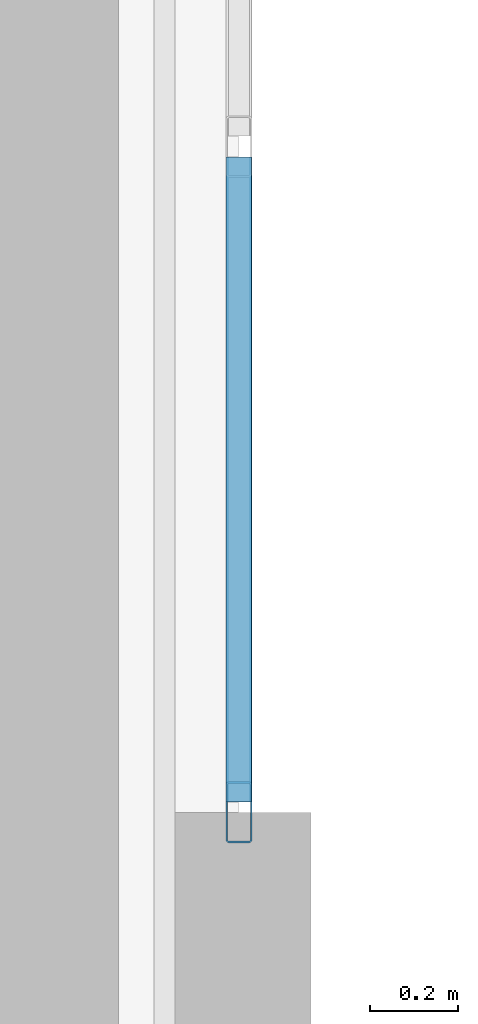
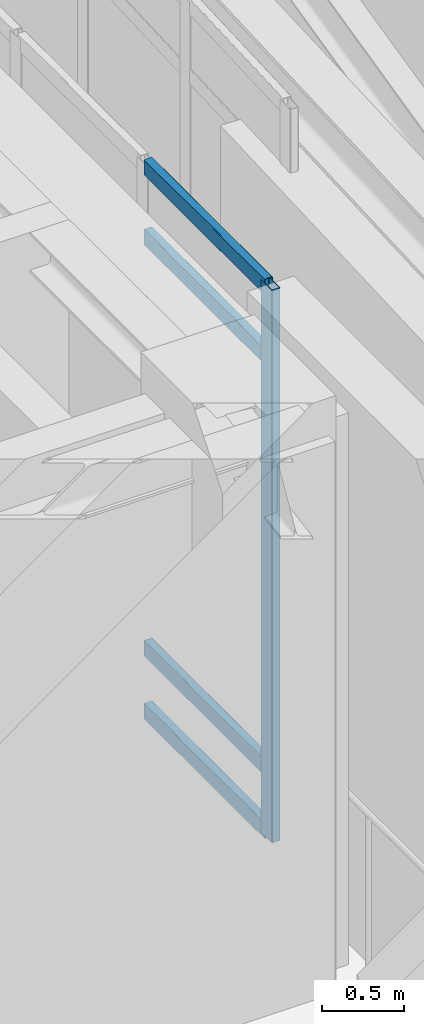
# One storey, part 4 of 19: 5 members, 1 element without a shape of its own.
"""IFC4 building model written with IfcOpenShell, lengths in metres."""

from ifc_helpers import new_model, si_unit, direction, frame, origin, origin_2d, place, context, subcontext, project, spatial, hollow_rectangle, extrude, material, layer, layer_set, material_profile, profile_set, type_object, element, aggregate, save


model = new_model("IFC4")

# Units and contexts
model_context = context("Model", 3, precision=1e-05, world=origin(), true_north=direction((0.0, 1.0)))
body_context = subcontext(model_context, "Body", "Model", "MODEL_VIEW")
ifc_project = project(units=[si_unit("LENGTHUNIT", "METRE"), si_unit("AREAUNIT", "SQUARE_METRE"), si_unit("VOLUMEUNIT", "CUBIC_METRE"), si_unit("PLANEANGLEUNIT", "RADIAN"), si_unit("MASSUNIT", "GRAM", prefix="KILO")], contexts=[model_context])

# Site, building, storey
site_placement = place(None, origin())
site = spatial("IfcSite", under=ifc_project, at=site_placement, CompositionType="ELEMENT")
building_placement = place(site_placement, origin())
building = spatial("IfcBuilding", under=site, at=building_placement, Name="Ndelora Gate Hotel", CompositionType="ELEMENT")
storey_placement = place(building_placement, frame((0.0, 0.0, 299.199951171875)))
storey = spatial("IfcBuildingStorey", under=building, at=storey_placement, Name="L74", CompositionType="ELEMENT", Elevation=299.199951171875)

# Curtain wall, members
ifc_material_1 = material(Name="Bronze Anodised Unitised Aluminium and Low-E Glass", Category="aluminium")
ifc_layer = layer(ifc_material_1, 0.199951171875)
ifc_layer_set = layer_set([ifc_layer], Name="Bronze Anodised Unitised Aluminium and Low-E Glass")
curtain_wall_type = type_object("IfcCurtainWallType", Name="CW-SYS-8", PredefinedType="NOTDEFINED", material=ifc_layer_set)
curtain_wall_placement = place(storey_placement, origin())
curtain_wall = element("IfcCurtainWall", 1, at=curtain_wall_placement, inside=storey, type_object=curtain_wall_type, Name="L74 Split-Crown West Cleft Lantern Curtain Wall CW8-1", PredefinedType="NOTDEFINED")
ifc_material_2 = material(Name="Bronze Anodised Aluminium 6063-T6", Category="aluminium")
ifc_material_profile_1 = material_profile(ifc_material_2, hollow_rectangle(XDim=0.06005859375, YDim=0.139892578125, WallThickness=0.00390625, InnerFilletRadius=0.00390625, OuterFilletRadius=0.008056640625, at=origin_2d()), Name="ALU 140x60x4")
ifc_profile_set_1 = profile_set([ifc_material_profile_1], Name="Bronze Anodised Aluminium 6063-T6")
member_type_1 = type_object("IfcMemberType", Name="MB-CW-MUL140", PredefinedType="MULLION", material=ifc_profile_set_1)
member_1_placement = place(storey_placement, frame((8.85009765625, -5.52001953125, -0.00390625), z_axis=(0.0, 0.0, 1.0), x_axis=(-1.0, 0.0, 0.0)))
member_1 = element("IfcMember", 2, at=member_1_placement, type_object=member_type_1, Name="CW8 mullion 1", PredefinedType="MULLION", context=body_context, shape_type="SweptSolid", body=[
    extrude(hollow_rectangle(XDim=0.06005859375, YDim=0.139892578125, WallThickness=0.00390625, InnerFilletRadius=0.00390625, OuterFilletRadius=0.008056640625, at=origin_2d()), origin(), (0.0, 0.0, 1.0), 4.1279296875),
])
ifc_material_profile_2 = material_profile(ifc_material_2, hollow_rectangle(XDim=0.06005859375, YDim=0.1201171875, WallThickness=0.00390625, InnerFilletRadius=0.00390625, OuterFilletRadius=0.008056640625, at=origin_2d()), Name="ALU 120x60x4")
ifc_profile_set_2 = profile_set([ifc_material_profile_2], Name="Bronze Anodised Aluminium 6063-T6")
member_type_2 = type_object("IfcMemberType", Name="MB-CW-TRN120", PredefinedType="USERDEFINED", material=ifc_profile_set_2)
member_2_placement = place(storey_placement, frame((8.85009765625, -5.49609375, 0.030029296875), z_axis=(0.0, 1.0, 0.0), x_axis=(-1.0, 0.0, 0.0)))
member_2 = element("IfcMember", 3, at=member_2_placement, type_object=member_type_2, Name="CW8 transom 1.1", ObjectType="TRANSOM", PredefinedType="USERDEFINED", context=body_context, shape_type="SweptSolid", body=[
    extrude(hollow_rectangle(XDim=0.06005859375, YDim=0.1201171875, WallThickness=0.00390625, InnerFilletRadius=0.00390625, OuterFilletRadius=0.008056640625, at=origin_2d()), origin(), (0.0, 0.0, 1.0), 1.47216796875),
])
member_3_placement = place(storey_placement, frame((8.85009765625, -5.49609375, 0.5), z_axis=(0.0, 1.0, 0.0), x_axis=(-1.0, 0.0, 0.0)))
member_3 = element("IfcMember", 4, at=member_3_placement, type_object=member_type_2, Name="CW8 transom 1.2", ObjectType="TRANSOM", PredefinedType="USERDEFINED", context=body_context, shape_type="SweptSolid", body=[
    extrude(hollow_rectangle(XDim=0.06005859375, YDim=0.1201171875, WallThickness=0.00390625, InnerFilletRadius=0.00390625, OuterFilletRadius=0.008056640625, at=origin_2d()), origin(), (0.0, 0.0, 1.0), 1.47216796875),
])
member_4_placement = place(storey_placement, frame((8.85009765625, -5.49609375, 3.570068359375), z_axis=(0.0, 1.0, 0.0), x_axis=(-1.0, 0.0, 0.0)))
member_4 = element("IfcMember", 5, at=member_4_placement, type_object=member_type_2, Name="CW8 transom 1.3", ObjectType="TRANSOM", PredefinedType="USERDEFINED", context=body_context, shape_type="SweptSolid", body=[
    extrude(hollow_rectangle(XDim=0.06005859375, YDim=0.1201171875, WallThickness=0.00390625, InnerFilletRadius=0.00390625, OuterFilletRadius=0.008056640625, at=origin_2d()), origin(), (0.0, 0.0, 1.0), 1.47216796875),
])
member_5_placement = place(storey_placement, frame((8.85009765625, -5.49609375, 4.090087890625), z_axis=(0.0, 1.0, 0.0), x_axis=(-1.0, 0.0, 0.0)))
member_5 = element("IfcMember", 6, at=member_5_placement, type_object=member_type_2, Name="CW8 transom 1.4", ObjectType="TRANSOM", PredefinedType="USERDEFINED", context=body_context, shape_type="SweptSolid", body=[
    extrude(hollow_rectangle(XDim=0.06005859375, YDim=0.1201171875, WallThickness=0.00390625, InnerFilletRadius=0.00390625, OuterFilletRadius=0.008056640625, at=origin_2d()), origin(), (0.0, 0.0, 1.0), 1.47216796875),
])
aggregate(curtain_wall, [member_1, member_2, member_3, member_4, member_5])

save(model, "model.ifc")
